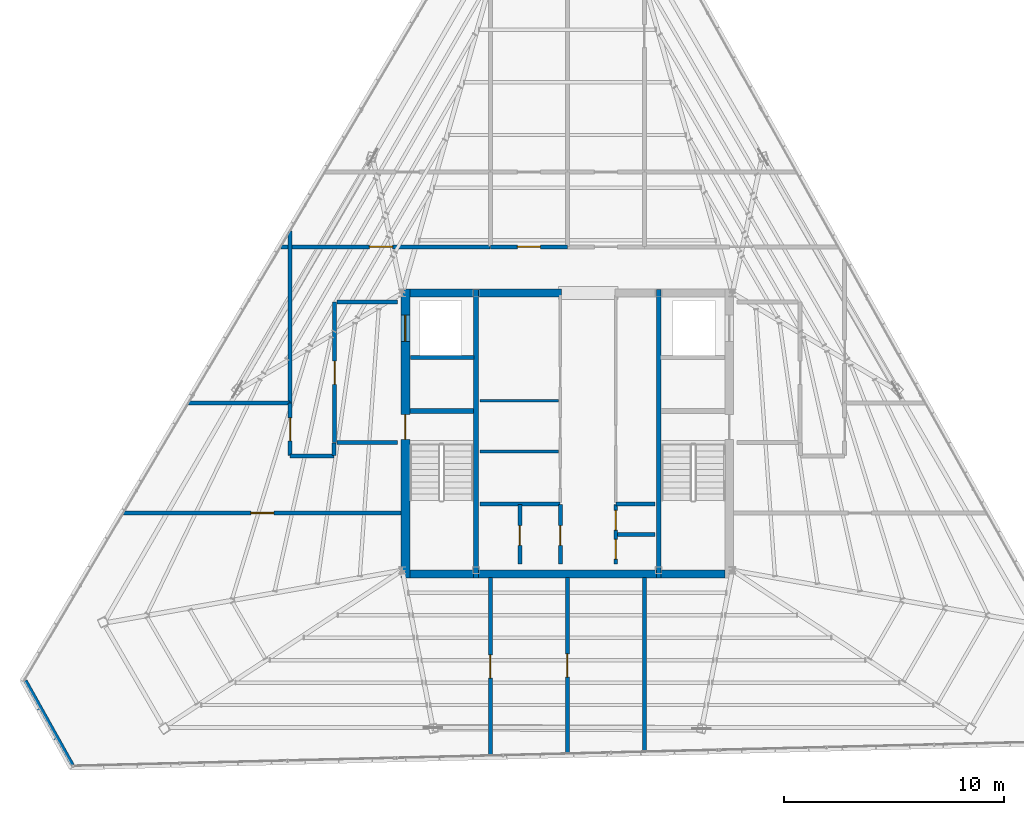
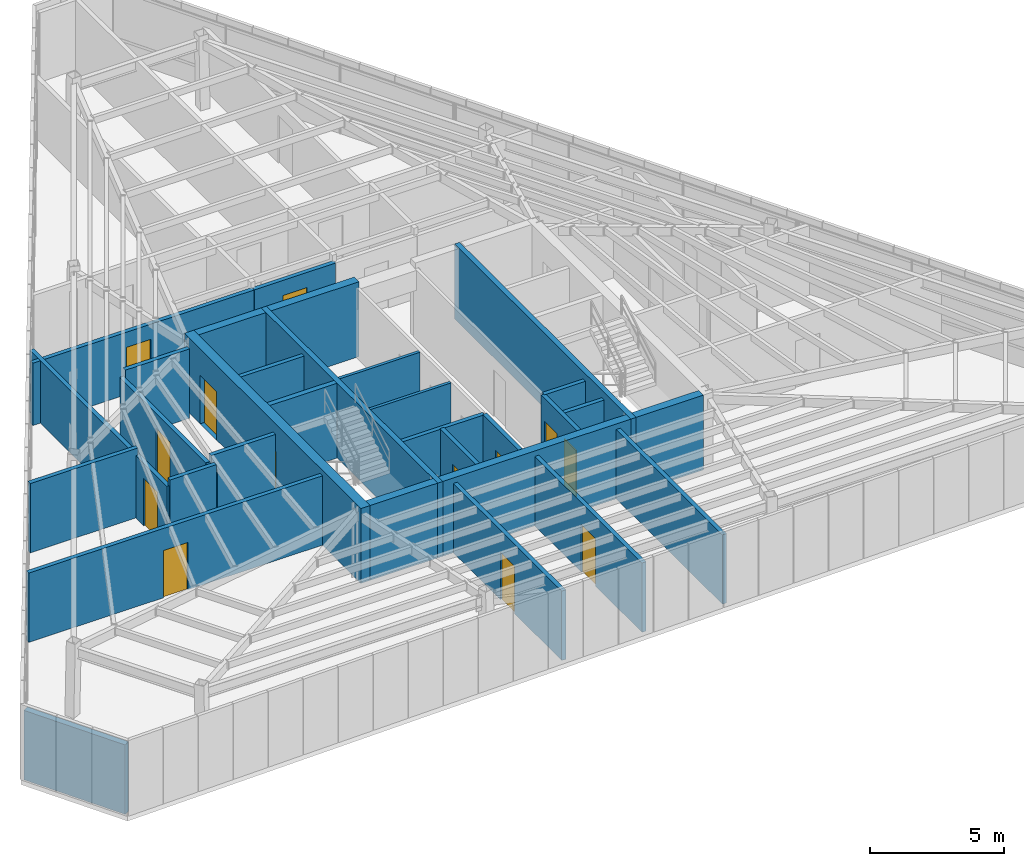
# One storey, part 43 of 48: 33 walls, 13 doors, 13 openings.
"""IFC4 building model written with IfcOpenShell, lengths in metres."""

from ifc_helpers import new_model, si_unit, direction, frame, frame_2d, origin, place, context, subcontext, project, spatial, rectangle, extrude, material, layer, layer_set, type_object, element, fill, save


model = new_model("IFC4")

# Units and contexts
model_context = context("Model", 3, precision=1e-05, world=origin(), true_north=direction((0.0, 1.0)))
body_context = subcontext(model_context, "Body", "Model", "MODEL_VIEW")
ifc_project = project(units=[si_unit("LENGTHUNIT", "METRE"), si_unit("AREAUNIT", "SQUARE_METRE"), si_unit("VOLUMEUNIT", "CUBIC_METRE"), si_unit("PLANEANGLEUNIT", "RADIAN"), si_unit("MASSUNIT", "GRAM", prefix="KILO")], contexts=[model_context])

# Site, building, storey
site_placement = place(None, origin())
site = spatial("IfcSite", under=ifc_project, at=site_placement, CompositionType="ELEMENT")
building_placement = place(site_placement, origin())
building = spatial("IfcBuilding", under=site, at=building_placement, Name="Caelisora Broadcast Tower", CompositionType="ELEMENT")
storey_placement = place(building_placement, frame((0.0, 0.0, 300.0)))
storey = spatial("IfcBuildingStorey", under=building, at=storey_placement, Name="L79", CompositionType="ELEMENT", Elevation=300.0)

# Wall, openings, doors
ifc_material_1 = material(Name="Concrete 40 MPa (AS 3600 N40)", Category="concrete")
ifc_layer_1 = layer(ifc_material_1, 0.39990234375, Name="Concrete 40 MPa (AS 3600 N40)")
ifc_layer_set_1 = layer_set([ifc_layer_1], Name="Concrete 40 MPa (AS 3600 N40)")
wall_type_1 = type_object("IfcWallType", Name="CW3", PredefinedType="SHEAR", material=ifc_layer_set_1)
wall_1_placement = place(storey_placement, frame((30.639892578125, 17.050048828125, 0.0), z_axis=(0.0, 0.0, 1.0), x_axis=(0.0, 1.0, 0.0)))
wall_1 = element("IfcWall", 1, at=wall_1_placement, inside=storey, type_object=wall_type_1, Name="L79 core shear wall CW3", PredefinedType="SHEAR", context=body_context, shape_type="SweptSolid", body=[
    extrude(rectangle(XDim=13.125, YDim=0.39990234375, at=frame_2d((6.5625, 0.0))), origin(), (0.0, 0.0, 1.0), 3.39990234375),
])
opening_1_placement = place(wall_1_placement, frame((6.300048828125, 0.0, 0.0)))
opening_1 = element("IfcOpeningElement", 2, at=opening_1_placement, cuts=wall_1, Name="Opening FD04", PredefinedType="OPENING", context=body_context, shape_type="SweptSolid", body=[
    extrude(rectangle(XDim=1.1201171875, YDim=2.14990234375, at=frame_2d((0.56005859375, 1.074951171875))), frame((0.0, 0.2119140625, 0.0), z_axis=(0.0, -1.0, 0.0), x_axis=(1.0, 0.0, 0.0)), (0.0, 0.0, 1.0), 0.423828125),
])
opening_2_placement = place(wall_1_placement, frame((10.75, 0.0, 0.0)))
opening_2 = element("IfcOpeningElement", 3, at=opening_2_placement, cuts=wall_1, Name="Opening LD04", PredefinedType="OPENING", context=body_context, shape_type="SweptSolid", body=[
    extrude(rectangle(XDim=1.199951171875, YDim=2.199951171875, at=frame_2d((0.60009765625, 1.10009765625))), frame((0.0, 0.2119140625, 0.0), z_axis=(0.0, -1.0, 0.0), x_axis=(1.0, 0.0, 0.0)), (0.0, 0.0, 1.0), 0.423828125),
])
ifc_material_2 = material(Name="Pressurised Fire-Isolated Stair Door", Category="steel")
door_type_1 = type_object("IfcDoorType", Name="FD04", OperationType="NOTDEFINED", PredefinedType="DOOR", material=ifc_material_2)
door_1_placement = place(opening_1_placement, origin())
door_1 = element("IfcDoor", 4, at=door_1_placement, inside=storey, type_object=door_type_1, Name="L79 door FD04 (L79-DR-ST1)", OperationType="SINGLE_SWING_LEFT", OverallHeight=2.14990234375, OverallWidth=1.1201171875, PredefinedType="DOOR", context=body_context, shape_type="SweptSolid", body=[
    extrude(rectangle(XDim=1.1201171875, YDim=2.14990234375, at=frame_2d((0.56005859375, 1.074951171875))), frame((0.0, 0.02490234375, 0.0), z_axis=(0.0, -1.0, 0.0), x_axis=(1.0, 0.0, 0.0)), (0.0, 0.0, 1.0), 0.050048828125),
])
fill(opening_1, door_1)
ifc_material_3 = material(Name="Emergency Firefighting Lift Sliding Landing Door", Category="steel")
door_type_2 = type_object("IfcDoorType", Name="LD04", OperationType="NOTDEFINED", PredefinedType="DOOR", material=ifc_material_3)
door_2_placement = place(opening_2_placement, origin())
door_2 = element("IfcDoor", 5, at=door_2_placement, inside=storey, type_object=door_type_2, Name="L79 door LD04 (L79-LD-FFL1)", OperationType="SLIDING_TO_LEFT", OverallHeight=2.199951171875, OverallWidth=1.199951171875, PredefinedType="DOOR", context=body_context, shape_type="SweptSolid", body=[
    extrude(rectangle(XDim=1.199951171875, YDim=2.199951171875, at=frame_2d((0.60009765625, 1.10009765625))), frame((0.0, 0.02490234375, 0.0), z_axis=(0.0, -1.0, 0.0), x_axis=(1.0, 0.0, 0.0)), (0.0, 0.0, 1.0), 0.050048828125),
])
fill(opening_2, door_2)

# Walls
ifc_layer_2 = layer(ifc_material_1, 0.35009765625, Name="Concrete 40 MPa (AS 3600 N40)")
ifc_layer_set_2 = layer_set([ifc_layer_2], Name="Concrete 40 MPa (AS 3600 N40)")
wall_type_2 = type_object("IfcWallType", Name="CW6", PredefinedType="SHEAR", material=ifc_layer_set_2)
wall_2_placement = place(storey_placement, frame((30.840087890625, 17.22509765625, 0.0), z_axis=(0.0, 0.0, 1.0), x_axis=(1.0, 0.0, 0.0)))
element("IfcWall", 6, at=wall_2_placement, inside=storey, type_object=wall_type_2, Name="L79 core shear wall CW6", PredefinedType="SHEAR", context=body_context, shape_type="SweptSolid", body=[
    extrude(rectangle(XDim=2.89990234375, YDim=0.35009765625, at=frame_2d((1.449951171875, 0.0))), origin(), (0.0, 0.0, 1.0), 3.39990234375),
])
wall_3_placement = place(storey_placement, frame((33.9599609375, 17.22509765625, 0.0), z_axis=(0.0, 0.0, 1.0), x_axis=(1.0, 0.0, 0.0)))
element("IfcWall", 7, at=wall_3_placement, inside=storey, type_object=wall_type_2, Name="L79 core shear wall CW6", PredefinedType="SHEAR", context=body_context, shape_type="SweptSolid", body=[
    extrude(rectangle(XDim=8.080078125, YDim=0.35009765625, at=frame_2d((4.0400390625, 0.0))), origin(), (0.0, 0.0, 1.0), 3.39990234375),
])
for number, where, z_axis, x_axis, name in (
    (8, (42.260009765625, 17.22509765625, 0.0), (0.0, 0.0, 1.0), (1.0, 0.0, 0.0), "L79 core shear wall CW6"),
    (9, (30.840087890625, 30.0, 0.0), (0.0, 0.0, 1.0), (1.0, 0.0, 0.0), "L79 core shear wall CW6"),
):
    element("IfcWall", number, at=place(storey_placement, frame(where, z_axis=z_axis, x_axis=x_axis)), inside=storey, type_object=wall_type_2, Name=name, PredefinedType="SHEAR", context=body_context, shape_type="SweptSolid", body=[
        extrude(rectangle(XDim=2.89990234375, YDim=0.35009765625, at=frame_2d((1.449951171875, 0.0))), origin(), (0.0, 0.0, 1.0), 3.39990234375),
    ])
wall_4_placement = place(storey_placement, frame((33.9599609375, 30.0, 0.0), z_axis=(0.0, 0.0, 1.0), x_axis=(1.0, 0.0, 0.0)))
element("IfcWall", 10, at=wall_4_placement, inside=storey, type_object=wall_type_2, Name="L79 core shear wall CW6", PredefinedType="SHEAR", context=body_context, shape_type="SweptSolid", body=[
    extrude(rectangle(XDim=3.780029296875, YDim=0.35009765625, at=frame_2d((1.89013671875, 0.0))), origin(), (0.0, 0.0, 1.0), 3.39990234375),
])
ifc_material_4 = material(Name="Concrete 50 MPa (AS 3600 S50)", Category="concrete")
ifc_layer_3 = layer(ifc_material_4, 0.219970703125, Name="Concrete 50 MPa (AS 3600 S50)")
ifc_layer_set_3 = layer_set([ifc_layer_3], Name="Concrete 50 MPa (AS 3600 S50)")
wall_type_3 = type_object("IfcWallType", Name="CW7", PredefinedType="SHEAR", material=ifc_layer_set_3)
for number, where, z_axis, x_axis, name in (
    (11, (33.85009765625, 17.050048828125, 0.0), (0.0, 0.0, 1.0), (0.0, 1.0, 0.0), "L79 core shear wall CW7"),
    (12, (42.14990234375, 17.050048828125, 0.0), (0.0, 0.0, 1.0), (0.0, 1.0, 0.0), "L79 core shear wall CW7"),
):
    element("IfcWall", number, at=place(storey_placement, frame(where, z_axis=z_axis, x_axis=x_axis)), inside=storey, type_object=wall_type_3, Name=name, PredefinedType="SHEAR", context=body_context, shape_type="SweptSolid", body=[
        extrude(rectangle(XDim=13.125, YDim=0.219970703125, at=frame_2d((6.5625, 0.0))), origin(), (0.0, 0.0, 1.0), 3.39990234375),
    ])
wall_5_placement = place(storey_placement, frame((30.840087890625, 24.639892578125, 0.0), z_axis=(0.0, 0.0, 1.0), x_axis=(1.0, 0.0, 0.0)))
element("IfcWall", 13, at=wall_5_placement, inside=storey, type_object=wall_type_3, Name="L79 core shear wall CW7", PredefinedType="SHEAR", context=body_context, shape_type="SweptSolid", body=[
    extrude(rectangle(XDim=2.89990234375, YDim=0.219970703125, at=frame_2d((1.449951171875, 0.0))), origin(), (0.0, 0.0, 1.0), 3.39990234375),
])
ifc_material_5 = material(Name="Fire-Rated Acoustic Plant Enclosure Wall", Category="masonry")
ifc_layer_4 = layer(ifc_material_5, 0.260009765625, Name="Fire-Rated Acoustic Plant Enclosure Wall")
ifc_layer_set_4 = layer_set([ifc_layer_4], Name="Fire-Rated Acoustic Plant Enclosure Wall")
wall_type_4 = type_object("IfcWallType", Name="EW2", PredefinedType="STANDARD", material=ifc_layer_set_4)
wall_6_placement = place(storey_placement, frame((15.470458984375, 8.524169921875, 0.0), z_axis=(0.0, 0.0, 1.0), x_axis=(-0.487369115816, 0.87319605184, 0.0)))
element("IfcWall", 14, at=wall_6_placement, inside=storey, type_object=wall_type_4, Name="L79 exterior envelope wall EW2", PredefinedType="STANDARD", context=body_context, shape_type="SweptSolid", body=[
    extrude(rectangle(XDim=4.392822265625, YDim=0.260009765625, at=frame_2d((2.1962890625, 0.0))), origin(), (0.0, 0.0, 1.0), 3.14990234375),
])

# Wall, opening, door
ifc_material_6 = material(Name="Fire-Rated Gypsum Shaft and Compartment Wall", Category="gypsum")
ifc_layer_5 = layer(ifc_material_6, 0.179931640625, Name="Fire-Rated Gypsum Shaft and Compartment Wall")
ifc_layer_set_5 = layer_set([ifc_layer_5], Name="Fire-Rated Gypsum Shaft and Compartment Wall")
wall_type_5 = type_object("IfcWallType", Name="PW2", PredefinedType="PARTITIONING", material=ifc_layer_set_5)
wall_7_placement = place(storey_placement, frame((27.419921875, 23.199951171875, 0.0), z_axis=(0.0, 0.0, 1.0), x_axis=(0.0, 1.0, 0.0)))
wall_7 = element("IfcWall", 15, at=wall_7_placement, inside=storey, type_object=wall_type_5, Name="L79 fire compartment wall PW2", PredefinedType="PARTITIONING", context=body_context, shape_type="SweptSolid", body=[
    extrude(rectangle(XDim=6.400146484375, YDim=0.179931640625, at=frame_2d((3.2001953125, 0.0))), origin(), (0.0, 0.0, 1.0), 2.8349609375),
])
opening_3_placement = place(wall_7_placement, frame((2.64990234375, 0.0, 0.0)))
opening_3 = element("IfcOpeningElement", 16, at=opening_3_placement, cuts=wall_7, Name="Opening FD02", PredefinedType="OPENING", context=body_context, shape_type="SweptSolid", body=[
    extrude(rectangle(XDim=1.050048828125, YDim=2.14990234375, at=frame_2d((0.52490234375, 1.074951171875))), frame((0.0, 0.10205078125, 0.0), z_axis=(0.0, -1.0, 0.0), x_axis=(1.0, 0.0, 0.0)), (0.0, 0.0, 1.0), 0.203857421875),
])
ifc_material_7 = material(Name="Single-Leaf Steel Fire Lobby Door", Category="steel")
door_type_3 = type_object("IfcDoorType", Name="FD02", OperationType="NOTDEFINED", PredefinedType="DOOR", material=ifc_material_7)
door_3_placement = place(opening_3_placement, origin())
door_3 = element("IfcDoor", 17, at=door_3_placement, inside=storey, type_object=door_type_3, Name="L79 door FD02 (L79-DR-P01D1)", OperationType="SINGLE_SWING_RIGHT", OverallHeight=2.14990234375, OverallWidth=1.050048828125, PredefinedType="DOOR", context=body_context, shape_type="SweptSolid", body=[
    extrude(rectangle(XDim=1.050048828125, YDim=2.14990234375, at=frame_2d((0.52490234375, 1.074951171875))), frame((0.0, 0.02490234375, 0.0), z_axis=(0.0, -1.0, 0.0), x_axis=(1.0, 0.0, 0.0)), (0.0, 0.0, 1.0), 0.050048828125),
])
fill(opening_3, door_3)

# Walls
for number, where, z_axis, x_axis, name in (
    (18, (27.52001953125, 23.199951171875, 0.0), (0.0, 0.0, 1.0), (1.0, 0.0, 0.0), "L79 fire compartment wall PW2"),
    (19, (27.52001953125, 29.60009765625, 0.0), (0.0, 0.0, 1.0), (1.0, 0.0, 0.0), "L79 fire compartment wall PW2"),
):
    element("IfcWall", number, at=place(storey_placement, frame(where, z_axis=z_axis, x_axis=x_axis)), inside=storey, type_object=wall_type_5, Name=name, PredefinedType="PARTITIONING", context=body_context, shape_type="SweptSolid", body=[
        extrude(rectangle(XDim=2.760009765625, YDim=0.179931640625, at=frame_2d((1.3798828125, 0.0))), origin(), (0.0, 0.0, 1.0), 3.14990234375),
    ])
wall_8_placement = place(storey_placement, frame((30.860107421875, 27.070068359375, 0.0), z_axis=(0.0, 0.0, 1.0), x_axis=(1.0, 0.0, 0.0)))
element("IfcWall", 20, at=wall_8_placement, inside=storey, type_object=wall_type_5, Name="L79 fire compartment wall PW2", PredefinedType="PARTITIONING", context=body_context, shape_type="SweptSolid", body=[
    extrude(rectangle(XDim=2.89990234375, YDim=0.179931640625, at=frame_2d((1.449951171875, 0.0))), origin(), (0.0, 0.0, 1.0), 3.14990234375),
])
wall_9_placement = place(storey_placement, frame((34.02001953125, 20.419921875, 0.0), z_axis=(0.0, 0.0, 1.0), x_axis=(1.0, 0.0, 0.0)))
element("IfcWall", 21, at=wall_9_placement, inside=storey, type_object=wall_type_5, Name="L79 fire compartment wall PW2", PredefinedType="PARTITIONING", context=body_context, shape_type="SweptSolid", body=[
    extrude(rectangle(XDim=3.639892578125, YDim=0.179931640625, at=frame_2d((1.81982421875, 0.0))), origin(), (0.0, 0.0, 1.0), 3.14990234375),
])
wall_10_placement = place(storey_placement, frame((40.219970703125, 20.419921875, 0.0), z_axis=(0.0, 0.0, 1.0), x_axis=(1.0, 0.0, 0.0)))
element("IfcWall", 22, at=wall_10_placement, inside=storey, type_object=wall_type_5, Name="L79 fire compartment wall PW2", PredefinedType="PARTITIONING", context=body_context, shape_type="SweptSolid", body=[
    extrude(rectangle(XDim=1.760009765625, YDim=0.179931640625, at=frame_2d((0.8798828125, 0.0))), origin(), (0.0, 0.0, 1.0), 3.14990234375),
])

# Wall, opening, door
wall_11_placement = place(storey_placement, frame((35.840087890625, 17.679931640625, 0.0), z_axis=(0.0, 0.0, 1.0), x_axis=(0.0, 1.0, 0.0)))
wall_11 = element("IfcWall", 23, at=wall_11_placement, inside=storey, type_object=wall_type_5, Name="L79 fire compartment wall PW2", PredefinedType="PARTITIONING", context=body_context, shape_type="SweptSolid", body=[
    extrude(rectangle(XDim=2.699951171875, YDim=0.179931640625, at=frame_2d((1.35009765625, 0.0))), origin(), (0.0, 0.0, 1.0), 3.14990234375),
])
opening_4_placement = place(wall_11_placement, frame((0.85009765625, 0.0, 0.0)))
opening_4 = element("IfcOpeningElement", 24, at=opening_4_placement, cuts=wall_11, Name="Opening FD03", PredefinedType="OPENING", context=body_context, shape_type="SweptSolid", body=[
    extrude(rectangle(XDim=0.89990234375, YDim=2.10009765625, at=frame_2d((0.449951171875, 1.050048828125))), frame((0.0, 0.10205078125, 0.0), z_axis=(0.0, -1.0, 0.0), x_axis=(1.0, 0.0, 0.0)), (0.0, 0.0, 1.0), 0.203857421875),
])
ifc_material_8 = material(Name="Single-Leaf Steel Riser Fire Access Door", Category="steel")
door_type_4 = type_object("IfcDoorType", Name="FD03", OperationType="NOTDEFINED", PredefinedType="DOOR", material=ifc_material_8)
door_4_placement = place(opening_4_placement, origin())
door_4 = element("IfcDoor", 25, at=door_4_placement, inside=storey, type_object=door_type_4, Name="L79 door FD03 (L79-DR-P15D1)", OperationType="SINGLE_SWING_RIGHT", OverallHeight=2.10009765625, OverallWidth=0.89990234375, PredefinedType="DOOR", context=body_context, shape_type="SweptSolid", body=[
    extrude(rectangle(XDim=0.89990234375, YDim=2.10009765625, at=frame_2d((0.449951171875, 1.050048828125))), frame((0.0, 0.02490234375, 0.0), z_axis=(0.0, -1.0, 0.0), x_axis=(1.0, 0.0, 0.0)), (0.0, 0.0, 1.0), 0.050048828125),
])
fill(opening_4, door_4)

wall_12_placement = place(storey_placement, frame((37.679931640625, 17.679931640625, 0.0), z_axis=(0.0, 0.0, 1.0), x_axis=(0.0, 1.0, 0.0)))
wall_12 = element("IfcWall", 26, at=wall_12_placement, inside=storey, type_object=wall_type_5, Name="L79 fire compartment wall PW2", PredefinedType="PARTITIONING", context=body_context, shape_type="SweptSolid", body=[
    extrude(rectangle(XDim=2.699951171875, YDim=0.179931640625, at=frame_2d((1.35009765625, 0.0))), origin(), (0.0, 0.0, 1.0), 3.14990234375),
])
opening_5_placement = place(wall_12_placement, frame((0.85009765625, 0.0, 0.0)))
opening_5 = element("IfcOpeningElement", 27, at=opening_5_placement, cuts=wall_12, Name="Opening FD03", PredefinedType="OPENING", context=body_context, shape_type="SweptSolid", body=[
    extrude(rectangle(XDim=0.89990234375, YDim=2.10009765625, at=frame_2d((0.449951171875, 1.050048828125))), frame((0.0, 0.10205078125, 0.0), z_axis=(0.0, -1.0, 0.0), x_axis=(1.0, 0.0, 0.0)), (0.0, 0.0, 1.0), 0.203857421875),
])
door_5_placement = place(opening_5_placement, origin())
door_5 = element("IfcDoor", 28, at=door_5_placement, inside=storey, type_object=door_type_4, Name="L79 door FD03 (L79-DR-P16D1)", OperationType="SINGLE_SWING_LEFT", OverallHeight=2.10009765625, OverallWidth=0.89990234375, PredefinedType="DOOR", context=body_context, shape_type="SweptSolid", body=[
    extrude(rectangle(XDim=0.89990234375, YDim=2.10009765625, at=frame_2d((0.449951171875, 1.050048828125))), frame((0.0, 0.02490234375, 0.0), z_axis=(0.0, -1.0, 0.0), x_axis=(1.0, 0.0, 0.0)), (0.0, 0.0, 1.0), 0.050048828125),
])
fill(opening_5, door_5)

# Wall
wall_13_placement = place(storey_placement, frame((40.280029296875, 19.02001953125, 0.0), z_axis=(0.0, 0.0, 1.0), x_axis=(1.0, 0.0, 0.0)))
element("IfcWall", 29, at=wall_13_placement, inside=storey, type_object=wall_type_5, Name="L79 fire compartment wall PW2", PredefinedType="PARTITIONING", context=body_context, shape_type="SweptSolid", body=[
    extrude(rectangle(XDim=1.699951171875, YDim=0.179931640625, at=frame_2d((0.85009765625, 0.0))), origin(), (0.0, 0.0, 1.0), 3.14990234375),
])

# Wall, openings, doors
wall_14_placement = place(storey_placement, frame((40.199951171875, 17.679931640625, 0.0), z_axis=(0.0, 0.0, 1.0), x_axis=(0.0, 1.0, 0.0)))
wall_14 = element("IfcWall", 30, at=wall_14_placement, inside=storey, type_object=wall_type_5, Name="L79 fire compartment wall PW2", PredefinedType="PARTITIONING", context=body_context, shape_type="SweptSolid", body=[
    extrude(rectangle(XDim=2.699951171875, YDim=0.179931640625, at=frame_2d((1.35009765625, 0.0))), origin(), (0.0, 0.0, 1.0), 3.14990234375),
])
opening_6_placement = place(wall_14_placement, frame((0.219970703125, 0.0, 0.0)))
opening_6 = element("IfcOpeningElement", 31, at=opening_6_placement, cuts=wall_14, Name="Opening FD03", PredefinedType="OPENING", context=body_context, shape_type="SweptSolid", body=[
    extrude(rectangle(XDim=0.89990234375, YDim=2.10009765625, at=frame_2d((0.449951171875, 1.050048828125))), frame((0.0, 0.10205078125, 0.0), z_axis=(0.0, -1.0, 0.0), x_axis=(1.0, 0.0, 0.0)), (0.0, 0.0, 1.0), 0.203857421875),
])
opening_7_placement = place(wall_14_placement, frame((1.5400390625, 0.0, 0.0)))
opening_7 = element("IfcOpeningElement", 32, at=opening_7_placement, cuts=wall_14, Name="Opening FD03", PredefinedType="OPENING", context=body_context, shape_type="SweptSolid", body=[
    extrude(rectangle(XDim=0.89990234375, YDim=2.10009765625, at=frame_2d((0.449951171875, 1.050048828125))), frame((0.0, 0.10205078125, 0.0), z_axis=(0.0, -1.0, 0.0), x_axis=(1.0, 0.0, 0.0)), (0.0, 0.0, 1.0), 0.203857421875),
])
door_6_placement = place(opening_6_placement, origin())
door_6 = element("IfcDoor", 33, at=door_6_placement, inside=storey, type_object=door_type_4, Name="L79 door FD03 (L79-DR-P18D1)", OperationType="SINGLE_SWING_RIGHT", OverallHeight=2.10009765625, OverallWidth=0.89990234375, PredefinedType="DOOR", context=body_context, shape_type="SweptSolid", body=[
    extrude(rectangle(XDim=0.89990234375, YDim=2.10009765625, at=frame_2d((0.449951171875, 1.050048828125))), frame((0.0, 0.02490234375, 0.0), z_axis=(0.0, -1.0, 0.0), x_axis=(1.0, 0.0, 0.0)), (0.0, 0.0, 1.0), 0.050048828125),
])
fill(opening_6, door_6)
door_7_placement = place(opening_7_placement, origin())
door_7 = element("IfcDoor", 34, at=door_7_placement, inside=storey, type_object=door_type_4, Name="L79 door FD03 (L79-DR-P18D2)", OperationType="SINGLE_SWING_LEFT", OverallHeight=2.10009765625, OverallWidth=0.89990234375, PredefinedType="DOOR", context=body_context, shape_type="SweptSolid", body=[
    extrude(rectangle(XDim=0.89990234375, YDim=2.10009765625, at=frame_2d((0.449951171875, 1.050048828125))), frame((0.0, 0.02490234375, 0.0), z_axis=(0.0, -1.0, 0.0), x_axis=(1.0, 0.0, 0.0)), (0.0, 0.0, 1.0), 0.050048828125),
])
fill(opening_7, door_7)

# Wall, opening, door
wall_15_placement = place(storey_placement, frame((17.830078125, 20.0, 0.0), z_axis=(0.0, 0.0, 1.0), x_axis=(1.0, 0.0, 0.0)))
wall_15 = element("IfcWall", 35, at=wall_15_placement, inside=storey, type_object=wall_type_5, Name="L79 fire compartment wall PW2", PredefinedType="PARTITIONING", context=body_context, shape_type="SweptSolid", body=[
    extrude(rectangle(XDim=12.614990234375, YDim=0.179931640625, at=frame_2d((6.3076171875, 0.0))), origin(), (0.0, 0.0, 1.0), 3.14990234375),
])
opening_8_placement = place(wall_15_placement, frame((5.782958984375, 0.0, 0.0)))
opening_8 = element("IfcOpeningElement", 36, at=opening_8_placement, cuts=wall_15, Name="Opening FD02", PredefinedType="OPENING", context=body_context, shape_type="SweptSolid", body=[
    extrude(rectangle(XDim=1.050048828125, YDim=2.14990234375, at=frame_2d((0.52490234375, 1.074951171875))), frame((0.0, 0.10205078125, 0.0), z_axis=(0.0, -1.0, 0.0), x_axis=(1.0, 0.0, 0.0)), (0.0, 0.0, 1.0), 0.203857421875),
])
door_8_placement = place(opening_8_placement, origin())
door_8 = element("IfcDoor", 37, at=door_8_placement, inside=storey, type_object=door_type_3, Name="L79 door FD02 (L79-DR-P21D1)", OperationType="SINGLE_SWING_RIGHT", OverallHeight=2.14990234375, OverallWidth=1.050048828125, PredefinedType="DOOR", context=body_context, shape_type="SweptSolid", body=[
    extrude(rectangle(XDim=1.050048828125, YDim=2.14990234375, at=frame_2d((0.52490234375, 1.074951171875))), frame((0.0, 0.02490234375, 0.0), z_axis=(0.0, -1.0, 0.0), x_axis=(1.0, 0.0, 0.0)), (0.0, 0.0, 1.0), 0.050048828125),
])
fill(opening_8, door_8)

wall_16_placement = place(storey_placement, frame((24.987548828125, 32.10009765625, 0.0), z_axis=(0.0, 0.0, 1.0), x_axis=(1.0, 0.0, 0.0)))
wall_16 = element("IfcWall", 38, at=wall_16_placement, inside=storey, type_object=wall_type_5, Name="L79 fire compartment wall PW2", PredefinedType="PARTITIONING", context=body_context, shape_type="SweptSolid", body=[
    extrude(rectangle(XDim=9.507568359375, YDim=0.179931640625, at=frame_2d((4.75390625, 0.0))), origin(), (0.0, 0.0, 1.0), 2.8349609375),
])
opening_9_placement = place(wall_16_placement, frame((4.02001953125, 0.0, 0.0)))
opening_9 = element("IfcOpeningElement", 39, at=opening_9_placement, cuts=wall_16, Name="Opening FD02", PredefinedType="OPENING", context=body_context, shape_type="SweptSolid", body=[
    extrude(rectangle(XDim=1.050048828125, YDim=2.14990234375, at=frame_2d((0.52490234375, 1.074951171875))), frame((0.0, 0.10205078125, 0.0), z_axis=(0.0, -1.0, 0.0), x_axis=(1.0, 0.0, 0.0)), (0.0, 0.0, 1.0), 0.203857421875),
])
door_9_placement = place(opening_9_placement, origin())
door_9 = element("IfcDoor", 40, at=door_9_placement, inside=storey, type_object=door_type_3, Name="L79 door FD02 (L79-DR-P24D1)", OperationType="SINGLE_SWING_LEFT", OverallHeight=2.14990234375, OverallWidth=1.050048828125, PredefinedType="DOOR", context=body_context, shape_type="SweptSolid", body=[
    extrude(rectangle(XDim=1.050048828125, YDim=2.14990234375, at=frame_2d((0.52490234375, 1.074951171875))), frame((0.0, 0.02490234375, 0.0), z_axis=(0.0, -1.0, 0.0), x_axis=(1.0, 0.0, 0.0)), (0.0, 0.0, 1.0), 0.050048828125),
])
fill(opening_9, door_9)

wall_17_placement = place(storey_placement, frame((34.5, 8.97998046875, 0.0), z_axis=(0.0, 0.0, 1.0), x_axis=(0.0, 1.0, 0.0)))
wall_17 = element("IfcWall", 41, at=wall_17_placement, inside=storey, type_object=wall_type_5, Name="L79 fire compartment wall PW2", PredefinedType="PARTITIONING", context=body_context, shape_type="SweptSolid", body=[
    extrude(rectangle(XDim=8.094970703125, YDim=0.179931640625, at=frame_2d((4.04736328125, 0.0))), origin(), (0.0, 0.0, 1.0), 3.14990234375),
])
opening_10_placement = place(wall_17_placement, frame((3.52197265625, 0.0, 0.0)))
opening_10 = element("IfcOpeningElement", 42, at=opening_10_placement, cuts=wall_17, Name="Opening FD02", PredefinedType="OPENING", context=body_context, shape_type="SweptSolid", body=[
    extrude(rectangle(XDim=1.050048828125, YDim=2.14990234375, at=frame_2d((0.52490234375, 1.074951171875))), frame((0.0, 0.10205078125, 0.0), z_axis=(0.0, -1.0, 0.0), x_axis=(1.0, 0.0, 0.0)), (0.0, 0.0, 1.0), 0.203857421875),
])
door_10_placement = place(opening_10_placement, origin())
door_10 = element("IfcDoor", 43, at=door_10_placement, inside=storey, type_object=door_type_3, Name="L79 door FD02 (L79-DR-P26D1)", OperationType="SINGLE_SWING_LEFT", OverallHeight=2.14990234375, OverallWidth=1.050048828125, PredefinedType="DOOR", context=body_context, shape_type="SweptSolid", body=[
    extrude(rectangle(XDim=1.050048828125, YDim=2.14990234375, at=frame_2d((0.52490234375, 1.074951171875))), frame((0.0, 0.02490234375, 0.0), z_axis=(0.0, -1.0, 0.0), x_axis=(1.0, 0.0, 0.0)), (0.0, 0.0, 1.0), 0.050048828125),
])
fill(opening_10, door_10)

wall_18_placement = place(storey_placement, frame((38.0, 9.070068359375, 0.0), z_axis=(0.0, 0.0, 1.0), x_axis=(0.0, 1.0, 0.0)))
wall_18 = element("IfcWall", 44, at=wall_18_placement, inside=storey, type_object=wall_type_5, Name="L79 fire compartment wall PW2", PredefinedType="PARTITIONING", context=body_context, shape_type="SweptSolid", body=[
    extrude(rectangle(XDim=8.0048828125, YDim=0.179931640625, at=frame_2d((4.00244140625, 0.0))), origin(), (0.0, 0.0, 1.0), 3.14990234375),
])
opening_11_placement = place(wall_18_placement, frame((3.47705078125, 0.0, 0.0)))
opening_11 = element("IfcOpeningElement", 45, at=opening_11_placement, cuts=wall_18, Name="Opening FD02", PredefinedType="OPENING", context=body_context, shape_type="SweptSolid", body=[
    extrude(rectangle(XDim=1.050048828125, YDim=2.14990234375, at=frame_2d((0.52490234375, 1.074951171875))), frame((0.0, 0.10205078125, 0.0), z_axis=(0.0, -1.0, 0.0), x_axis=(1.0, 0.0, 0.0)), (0.0, 0.0, 1.0), 0.203857421875),
])
door_11_placement = place(opening_11_placement, origin())
door_11 = element("IfcDoor", 46, at=door_11_placement, inside=storey, type_object=door_type_3, Name="L79 door FD02 (L79-DR-P27D1)", OperationType="SINGLE_SWING_RIGHT", OverallHeight=2.14990234375, OverallWidth=1.050048828125, PredefinedType="DOOR", context=body_context, shape_type="SweptSolid", body=[
    extrude(rectangle(XDim=1.050048828125, YDim=2.14990234375, at=frame_2d((0.52490234375, 1.074951171875))), frame((0.0, 0.02490234375, 0.0), z_axis=(0.0, -1.0, 0.0), x_axis=(1.0, 0.0, 0.0)), (0.0, 0.0, 1.0), 0.050048828125),
])
fill(opening_11, door_11)

# Walls
wall_19_placement = place(storey_placement, frame((41.5, 9.14990234375, 0.0), z_axis=(0.0, 0.0, 1.0), x_axis=(0.0, 1.0, 0.0)))
element("IfcWall", 47, at=wall_19_placement, inside=storey, type_object=wall_type_5, Name="L79 fire compartment wall PW2", PredefinedType="PARTITIONING", context=body_context, shape_type="SweptSolid", body=[
    extrude(rectangle(XDim=7.925048828125, YDim=0.179931640625, at=frame_2d((3.96240234375, 0.0))), origin(), (0.0, 0.0, 1.0), 3.14990234375),
])
wall_20_placement = place(storey_placement, frame((25.39990234375, 25.0048828125, 0.0), z_axis=(0.0, 0.0, 1.0), x_axis=(0.0, 1.0, 0.0)))
element("IfcWall", 48, at=wall_20_placement, inside=storey, type_object=wall_type_5, Name="L79 fire compartment wall PW2", PredefinedType="PARTITIONING", context=body_context, shape_type="SweptSolid", body=[
    extrude(rectangle(XDim=7.806884765625, YDim=0.179931640625, at=frame_2d((3.9033203125, 0.0))), origin(), (0.0, 0.0, 1.0), 2.8349609375),
])
wall_21_placement = place(storey_placement, frame((20.780029296875, 25.0, 0.0), z_axis=(0.0, 0.0, 1.0), x_axis=(1.0, 0.0, 0.0)))
element("IfcWall", 49, at=wall_21_placement, inside=storey, type_object=wall_type_5, Name="L79 fire compartment wall PW2", PredefinedType="PARTITIONING", context=body_context, shape_type="SweptSolid", body=[
    extrude(rectangle(XDim=4.614990234375, YDim=0.179931640625, at=frame_2d((2.3076171875, 0.0))), origin(), (0.0, 0.0, 1.0), 3.14990234375),
])

# Wall, opening, door
wall_22_placement = place(storey_placement, frame((34.5048828125, 32.10009765625, 0.0), z_axis=(0.0, 0.0, 1.0), x_axis=(1.0, 0.0, 0.0)))
wall_22 = element("IfcWall", 50, at=wall_22_placement, inside=storey, type_object=wall_type_5, Name="L79 fire compartment wall PW2", PredefinedType="PARTITIONING", context=body_context, shape_type="SweptSolid", body=[
    extrude(rectangle(XDim=3.490234375, YDim=0.179931640625, at=frame_2d((1.7451171875, 0.0))), origin(), (0.0, 0.0, 1.0), 2.8349609375),
])
opening_12_placement = place(wall_22_placement, frame((1.219970703125, 0.0, 0.0)))
opening_12 = element("IfcOpeningElement", 51, at=opening_12_placement, cuts=wall_22, Name="Opening FD02", PredefinedType="OPENING", context=body_context, shape_type="SweptSolid", body=[
    extrude(rectangle(XDim=1.050048828125, YDim=2.14990234375, at=frame_2d((0.52490234375, 1.074951171875))), frame((0.0, 0.10205078125, 0.0), z_axis=(0.0, -1.0, 0.0), x_axis=(1.0, 0.0, 0.0)), (0.0, 0.0, 1.0), 0.203857421875),
])
door_12_placement = place(opening_12_placement, origin())
door_12 = element("IfcDoor", 52, at=door_12_placement, inside=storey, type_object=door_type_3, Name="L79 door FD02 (L79-DR-P35D1)", OperationType="SINGLE_SWING_LEFT", OverallHeight=2.14990234375, OverallWidth=1.050048828125, PredefinedType="DOOR", context=body_context, shape_type="SweptSolid", body=[
    extrude(rectangle(XDim=1.050048828125, YDim=2.14990234375, at=frame_2d((0.52490234375, 1.074951171875))), frame((0.0, 0.02490234375, 0.0), z_axis=(0.0, -1.0, 0.0), x_axis=(1.0, 0.0, 0.0)), (0.0, 0.0, 1.0), 0.050048828125),
])
fill(opening_12, door_12)

wall_23_placement = place(storey_placement, frame((25.39990234375, 24.9951171875, 0.0), z_axis=(0.0, 0.0, 1.0), x_axis=(0.0, -1.0, 0.0)))
wall_23 = element("IfcWall", 53, at=wall_23_placement, inside=storey, type_object=wall_type_5, Name="L79 fire compartment wall PW2", PredefinedType="PARTITIONING", context=body_context, shape_type="SweptSolid", body=[
    extrude(rectangle(XDim=2.39013671875, YDim=0.179931640625, at=frame_2d((1.195068359375, 0.0))), origin(), (0.0, 0.0, 1.0), 2.8349609375),
])
opening_13_placement = place(wall_23_placement, frame((0.669921875, 0.0, 0.0)))
opening_13 = element("IfcOpeningElement", 54, at=opening_13_placement, cuts=wall_23, Name="Opening FD02", PredefinedType="OPENING", context=body_context, shape_type="SweptSolid", body=[
    extrude(rectangle(XDim=1.050048828125, YDim=2.14990234375, at=frame_2d((0.52490234375, 1.074951171875))), frame((0.0, 0.10205078125, 0.0), z_axis=(0.0, -1.0, 0.0), x_axis=(1.0, 0.0, 0.0)), (0.0, 0.0, 1.0), 0.203857421875),
])
door_13_placement = place(opening_13_placement, origin())
door_13 = element("IfcDoor", 55, at=door_13_placement, inside=storey, type_object=door_type_3, Name="L79 door FD02 (L79-DR-P45D1)", OperationType="SINGLE_SWING_RIGHT", OverallHeight=2.14990234375, OverallWidth=1.050048828125, PredefinedType="DOOR", context=body_context, shape_type="SweptSolid", body=[
    extrude(rectangle(XDim=1.050048828125, YDim=2.14990234375, at=frame_2d((0.52490234375, 1.074951171875))), frame((0.0, 0.02490234375, 0.0), z_axis=(0.0, -1.0, 0.0), x_axis=(1.0, 0.0, 0.0)), (0.0, 0.0, 1.0), 0.050048828125),
])
fill(opening_13, door_13)

# Walls
wall_24_placement = place(storey_placement, frame((25.405029296875, 22.60009765625, 0.0), z_axis=(0.0, 0.0, 1.0), x_axis=(1.0, 0.0, 0.0)))
element("IfcWall", 56, at=wall_24_placement, inside=storey, type_object=wall_type_5, Name="L79 fire compartment wall PW2", PredefinedType="PARTITIONING", context=body_context, shape_type="SweptSolid", body=[
    extrude(rectangle(XDim=1.989990234375, YDim=0.179931640625, at=frame_2d((0.9951171875, 0.0))), origin(), (0.0, 0.0, 1.0), 3.14990234375),
])
wall_25_placement = place(storey_placement, frame((27.39990234375, 22.60498046875, 0.0), z_axis=(0.0, 0.0, 1.0), x_axis=(0.0, 1.0, 0.0)))
element("IfcWall", 57, at=wall_25_placement, inside=storey, type_object=wall_type_5, Name="L79 fire compartment wall PW2", PredefinedType="PARTITIONING", context=body_context, shape_type="SweptSolid", body=[
    extrude(rectangle(XDim=0.570068359375, YDim=0.179931640625, at=frame_2d((0.28515625, 0.0))), origin(), (0.0, 0.0, 1.0), 2.8349609375),
])
ifc_material_9 = material(Name="Acoustic Steel-Stud Plasterboard Partition", Category="gypsum")
ifc_layer_6 = layer(ifc_material_9, 0.1298828125, Name="Acoustic Steel-Stud Plasterboard Partition")
ifc_layer_set_6 = layer_set([ifc_layer_6], Name="Acoustic Steel-Stud Plasterboard Partition")
wall_type_6 = type_object("IfcWallType", Name="PW3", PredefinedType="PARTITIONING", material=ifc_layer_set_6)
for number, where, z_axis, x_axis, name in (
    (58, (34.02001953125, 22.800048828125, 0.0), (0.0, 0.0, 1.0), (1.0, 0.0, 0.0), "L79 internal partition PW3"),
    (59, (34.02001953125, 25.10009765625, 0.0), (0.0, 0.0, 1.0), (1.0, 0.0, 0.0), "L79 internal partition PW3"),
):
    element("IfcWall", number, at=place(storey_placement, frame(where, z_axis=z_axis, x_axis=x_axis)), inside=storey, type_object=wall_type_6, Name=name, PredefinedType="PARTITIONING", context=body_context, shape_type="SweptSolid", body=[
        extrude(rectangle(XDim=3.580078125, YDim=0.1298828125, at=frame_2d((1.7900390625, 0.0))), origin(), (0.0, 0.0, 1.0), 3.14990234375),
    ])

save(model, "model.ifc")
